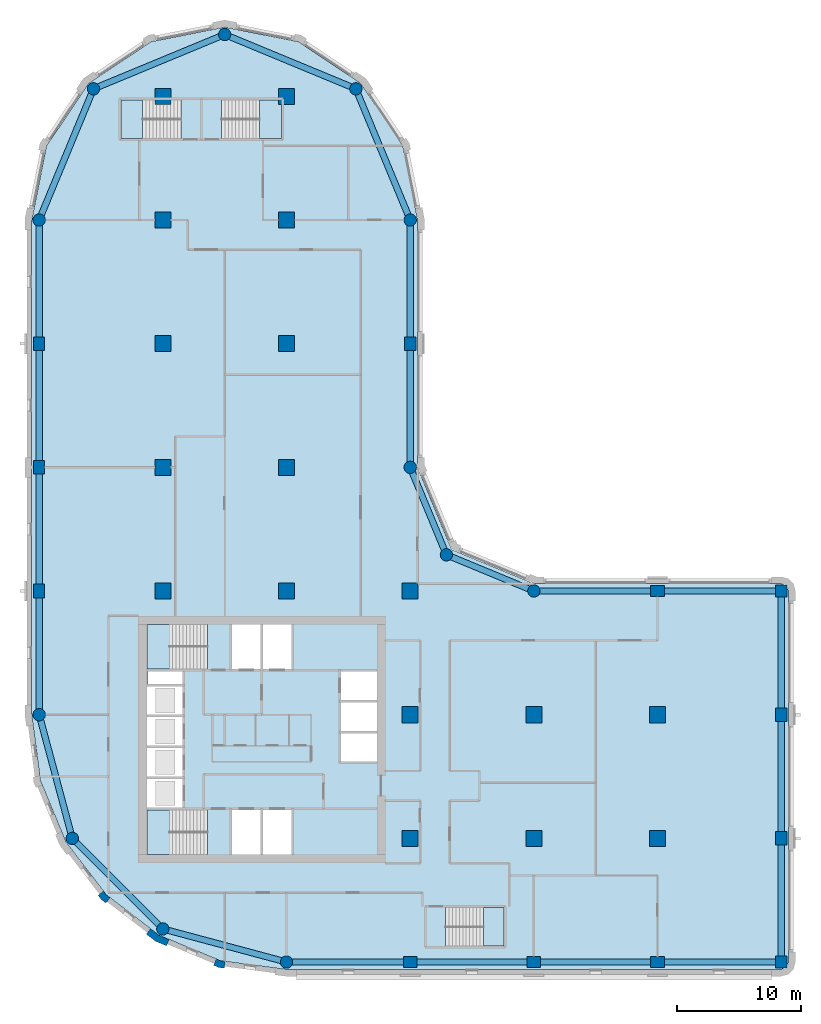
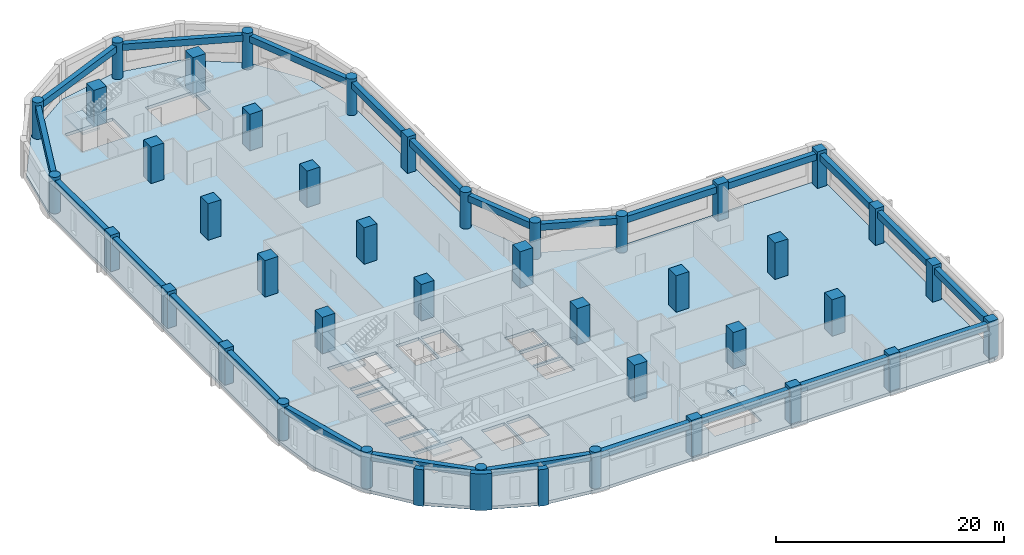
# One storey, part 1 of 9: 41 columns, 24 beams, 6 slabs, 3 walls, 5 elements without a shape of their own.
"""IFC4 building model written with IfcOpenShell, lengths in metres."""

from ifc_helpers import new_model, si_unit, direction, frame, origin, origin_2d, place, context, subcontext, project, spatial, polyline, rectangle, circle, outline, extrude, material, layer, layer_set, material_profile, profile_set, type_object, element, aggregate, save


model = new_model("IFC4")

# Units and contexts
model_context = context("Model", 3, precision=1e-05, world=origin(), true_north=direction((0.0, 1.0)))
body_context = subcontext(model_context, "Body", "Model", "MODEL_VIEW")
ifc_project = project(units=[si_unit("LENGTHUNIT", "METRE"), si_unit("AREAUNIT", "SQUARE_METRE"), si_unit("VOLUMEUNIT", "CUBIC_METRE"), si_unit("PLANEANGLEUNIT", "RADIAN"), si_unit("MASSUNIT", "GRAM", prefix="KILO")], contexts=[model_context])

# Site, building, storey
site_placement = place(None, origin())
site = spatial("IfcSite", under=ifc_project, at=site_placement, CompositionType="ELEMENT")
building_placement = place(site_placement, origin())
building = spatial("IfcBuilding", under=site, at=building_placement, Name="Qaws Garden Tower", CompositionType="ELEMENT")
storey_placement = place(building_placement, frame((0.0, 0.0, 139.5)))
storey = spatial("IfcBuildingStorey", under=building, at=storey_placement, Name="L33", CompositionType="ELEMENT", Elevation=139.5)

# Columns
ifc_material_1 = material(Name="Concrete C70", Category="concrete")
ifc_material_profile_1 = material_profile(ifc_material_1, rectangle(XDim=1.10009765625, YDim=0.89990234375, at=origin_2d()), Name="RC 1100x900")
ifc_profile_set_1 = profile_set([ifc_material_profile_1], Name="Concrete C70")
column_type_1 = type_object("IfcColumnType", Name="Column RC 1100x900 C70", PredefinedType="COLUMN", material=ifc_profile_set_1)
for number, where, z_axis, x_axis, name in (
    (1, (30.0, 0.0, 0.0), (0.0, 0.0, 1.0), (1.0, 0.0, 0.0), "Column L33-002"),
    (2, (40.0, 0.0, 0.0), (0.0, 0.0, 1.0), (1.0, 0.0, 0.0), "Column L33-003"),
    (3, (50.0, 0.0, 0.0), (0.0, 0.0, 1.0), (1.0, 0.0, 0.0), "Column L33-004"),
    (4, (60.0, 10.0, 0.0), (0.0, 0.0, 1.0), (0.0, 1.0, 0.0), "Column L33-006"),
    (5, (60.0, 20.0, 0.0), (0.0, 0.0, 1.0), (0.0, 1.0, 0.0), "Column L33-007"),
    (6, (50.0, 30.0, 0.0), (0.0, 0.0, 1.0), (1.0, 0.0, 0.0), "Column L33-009"),
    (7, (30.0, 50.0, 0.0), (0.0, 0.0, 1.0), (0.0, 1.0, 0.0), "Column L33-013"),
    (8, (0.0, 50.0, 0.0), (0.0, 0.0, 1.0), (0.0, 1.0, 0.0), "Column L33-019"),
    (9, (0.0, 40.0, 0.0), (0.0, 0.0, 1.0), (0.0, 1.0, 0.0), "Column L33-020"),
    (10, (0.0, 30.0, 0.0), (0.0, 0.0, 1.0), (0.0, 1.0, 0.0), "Column L33-021"),
):
    element("IfcColumn", number, at=place(storey_placement, frame(where, z_axis=z_axis, x_axis=x_axis)), inside=storey, type_object=column_type_1, Name=name, PredefinedType="COLUMN", context=body_context, shape_type="SweptSolid", body=[
        extrude(rectangle(XDim=1.10009765625, YDim=0.89990234375, at=origin_2d()), origin(), (0.0, 0.0, 1.0), 3.89990234375),
    ])
ifc_material_2 = material(Name="Concrete C70", Category="concrete")
ifc_material_profile_2 = material_profile(ifc_material_2, rectangle(XDim=1.300048828125, YDim=1.300048828125, at=origin_2d()), Name="RC 1300x1300")
ifc_profile_set_2 = profile_set([ifc_material_profile_2], Name="Concrete C70")
column_type_2 = type_object("IfcColumnType", Name="Column RC 1300x1300 C70", PredefinedType="COLUMN", material=ifc_profile_set_2)
for number, where, z_axis, x_axis, name in (
    (11, (10.0, 30.0, 0.0), (0.0, 0.0, 1.0), (1.0, 0.0, 0.0), "Column L33-025"),
    (12, (10.0, 40.0, 0.0), (0.0, 0.0, 1.0), (1.0, 0.0, 0.0), "Column L33-026"),
    (13, (10.0, 50.0, 0.0), (0.0, 0.0, 1.0), (1.0, 0.0, 0.0), "Column L33-027"),
    (14, (10.0, 60.0, 0.0), (0.0, 0.0, 1.0), (1.0, 0.0, 0.0), "Column L33-028"),
    (15, (10.0, 70.0, 0.0), (0.0, 0.0, 1.0), (1.0, 0.0, 0.0), "Column L33-029"),
    (16, (20.0, 30.0, 0.0), (0.0, 0.0, 1.0), (1.0, 0.0, 0.0), "Column L33-030"),
    (17, (20.0, 40.0, 0.0), (0.0, 0.0, 1.0), (1.0, 0.0, 0.0), "Column L33-031"),
    (18, (20.0, 50.0, 0.0), (0.0, 0.0, 1.0), (1.0, 0.0, 0.0), "Column L33-032"),
    (19, (20.0, 60.0, 0.0), (0.0, 0.0, 1.0), (1.0, 0.0, 0.0), "Column L33-033"),
    (20, (20.0, 70.0, 0.0), (0.0, 0.0, 1.0), (1.0, 0.0, 0.0), "Column L33-034"),
    (21, (30.0, 10.0, 0.0), (0.0, 0.0, 1.0), (1.0, 0.0, 0.0), "Column L33-035"),
    (22, (30.0, 20.0, 0.0), (0.0, 0.0, 1.0), (1.0, 0.0, 0.0), "Column L33-036"),
    (23, (30.0, 30.0, 0.0), (0.0, 0.0, 1.0), (1.0, 0.0, 0.0), "Column L33-037"),
    (24, (40.0, 10.0, 0.0), (0.0, 0.0, 1.0), (1.0, 0.0, 0.0), "Column L33-038"),
    (25, (40.0, 20.0, 0.0), (0.0, 0.0, 1.0), (1.0, 0.0, 0.0), "Column L33-039"),
    (26, (50.0, 10.0, 0.0), (0.0, 0.0, 1.0), (1.0, 0.0, 0.0), "Column L33-040"),
    (27, (50.0, 20.0, 0.0), (0.0, 0.0, 1.0), (1.0, 0.0, 0.0), "Column L33-041"),
):
    element("IfcColumn", number, at=place(storey_placement, frame(where, z_axis=z_axis, x_axis=x_axis)), inside=storey, type_object=column_type_2, Name=name, PredefinedType="COLUMN", context=body_context, shape_type="SweptSolid", body=[
        extrude(rectangle(XDim=1.300048828125, YDim=1.300048828125, at=origin_2d()), origin(), (0.0, 0.0, 1.0), 3.89990234375),
    ])
ifc_material_3 = material(Name="Concrete C70", Category="concrete")
ifc_material_profile_3 = material_profile(ifc_material_3, rectangle(XDim=0.949951171875, YDim=0.949951171875, at=origin_2d()), Name="RC 950x950")
ifc_profile_set_3 = profile_set([ifc_material_profile_3], Name="Concrete C70")
column_type_3 = type_object("IfcColumnType", Name="Column RC 950x950 C70", PredefinedType="COLUMN", material=ifc_profile_set_3)
for number, where, z_axis, x_axis, name in (
    (28, (60.0, 0.0, 0.0), (0.0, 0.0, 1.0), (1.0, 0.0, 0.0), "Column L33-005"),
    (29, (60.0, 30.0, 0.0), (0.0, 0.0, 1.0), (1.0, 0.0, 0.0), "Column L33-008"),
):
    element("IfcColumn", number, at=place(storey_placement, frame(where, z_axis=z_axis, x_axis=x_axis)), inside=storey, type_object=column_type_3, Name=name, PredefinedType="COLUMN", context=body_context, shape_type="SweptSolid", body=[
        extrude(rectangle(XDim=0.949951171875, YDim=0.949951171875, at=origin_2d()), origin(), (0.0, 0.0, 1.0), 3.89990234375),
    ])
ifc_material_4 = material(Name="Concrete C70", Category="concrete")
ifc_material_profile_4 = material_profile(ifc_material_4, circle(Radius=0.5, at=origin_2d()), Name="RC D1000")
ifc_profile_set_4 = profile_set([ifc_material_profile_4], Name="Concrete C70")
column_type_4 = type_object("IfcColumnType", Name="Column RC D1000 C70", PredefinedType="COLUMN", material=ifc_profile_set_4)
for number, where, z_axis, x_axis, name in (
    (30, (20.0, 0.0, 0.0), (0.0, 0.0, 1.0), (1.0, 0.0, 0.0), "Column L33-001"),
    (31, (40.0, 30.0, 0.0), (0.0, 0.0, 1.0), (1.0, 0.0, 0.0), "Column L33-010"),
    (32, (32.928955078125, 32.928955078125, 0.0), (0.0, 0.0, 1.0), (1.0, 0.0, 0.0), "Column L33-011"),
    (33, (30.0, 40.0, 0.0), (0.0, 0.0, 1.0), (1.0, 0.0, 0.0), "Column L33-012"),
    (34, (30.0, 60.0, 0.0), (0.0, 0.0, 1.0), (1.0, 0.0, 0.0), "Column L33-014"),
    (35, (25.606689453125, 70.606689453125, 0.0), (0.0, 0.0, 1.0), (1.0, 0.0, 0.0), "Column L33-015"),
    (36, (15.0, 75.0, 0.0), (0.0, 0.0, 1.0), (1.0, 0.0, 0.0), "Column L33-016"),
    (37, (4.393310546875, 70.606689453125, 0.0), (0.0, 0.0, 1.0), (1.0, 0.0, 0.0), "Column L33-017"),
    (38, (0.0, 60.0, 0.0), (0.0, 0.0, 1.0), (1.0, 0.0, 0.0), "Column L33-018"),
    (39, (0.0, 20.0, 0.0), (0.0, 0.0, 1.0), (1.0, 0.0, 0.0), "Column L33-022"),
    (40, (2.679443359375, 10.0, 0.0), (0.0, 0.0, 1.0), (1.0, 0.0, 0.0), "Column L33-023"),
    (41, (10.0, 2.679443359375, 0.0), (0.0, 0.0, 1.0), (1.0, 0.0, 0.0), "Column L33-024"),
):
    element("IfcColumn", number, at=place(storey_placement, frame(where, z_axis=z_axis, x_axis=x_axis)), inside=storey, type_object=column_type_4, Name=name, PredefinedType="COLUMN", context=body_context, shape_type="SweptSolid", body=[
        extrude(circle(Radius=0.5, at=origin_2d()), origin(), (0.0, 0.0, 1.0), 3.89990234375),
    ])

# Beams
ifc_material_5 = material(Name="Concrete C45", Category="concrete")
ifc_material_profile_5 = material_profile(ifc_material_5, rectangle(XDim=0.5, YDim=0.699951171875, at=origin_2d()), Name="RC 500x700")
ifc_profile_set_5 = profile_set([ifc_material_profile_5], Name="Concrete C45")
beam_type = type_object("IfcBeamType", Name="Spandrel beam RC 500x700 C45", PredefinedType="SPANDREL", material=ifc_profile_set_5)
for number, where, z_axis, x_axis, name in (
    (42, (20.0, 0.0, 3.22998046875), (1.0, 0.0, 0.0), (0.0, 1.0, 0.0), "Spandrel beam L33-001"),
    (43, (30.0, 0.0, 3.22998046875), (1.0, 0.0, 0.0), (0.0, 1.0, 0.0), "Spandrel beam L33-002"),
    (44, (40.0, 0.0, 3.22998046875), (1.0, 0.0, 0.0), (0.0, 1.0, 0.0), "Spandrel beam L33-003"),
    (45, (50.0, 0.0, 3.22998046875), (1.0, 0.0, 0.0), (0.0, 1.0, 0.0), "Spandrel beam L33-004"),
    (46, (60.0, 0.0, 3.22998046875), (0.0, 1.0, 0.0), (-1.0, 0.0, 0.0), "Spandrel beam L33-005"),
    (47, (60.0, 10.0, 3.22998046875), (0.0, 1.0, 0.0), (-1.0, 0.0, 0.0), "Spandrel beam L33-006"),
    (48, (60.0, 20.0, 3.22998046875), (0.0, 1.0, 0.0), (-1.0, 0.0, 0.0), "Spandrel beam L33-007"),
    (49, (60.0, 30.0, 3.22998046875), (-1.0, 0.0, 0.0), (0.0, -1.0, 0.0), "Spandrel beam L33-008"),
    (50, (50.0, 30.0, 3.22998046875), (-1.0, 0.0, 0.0), (0.0, -1.0, 0.0), "Spandrel beam L33-009"),
):
    element("IfcBeam", number, at=place(storey_placement, frame(where, z_axis=z_axis, x_axis=x_axis)), inside=storey, type_object=beam_type, Name=name, PredefinedType="SPANDREL", context=body_context, shape_type="SweptSolid", body=[
        extrude(rectangle(XDim=0.5, YDim=0.699951171875, at=origin_2d()), origin(), (0.0, 0.0, 1.0), 10.0),
    ])
for number, where, z_axis, x_axis, name in (
    (51, (40.0, 30.0, 3.22998046875), (-0.923878037141, 0.382687042488, 0.0), (-0.382687042488, -0.923878037141, 0.0), "Spandrel beam L33-010"),
    (52, (32.928955078125, 32.928955078125, 3.22998046875), (-0.382687042488, 0.923878037141, 0.0), (-0.923878037141, -0.382687042488, 0.0), "Spandrel beam L33-011"),
):
    element("IfcBeam", number, at=place(storey_placement, frame(where, z_axis=z_axis, x_axis=x_axis)), inside=storey, type_object=beam_type, Name=name, PredefinedType="SPANDREL", context=body_context, shape_type="SweptSolid", body=[
        extrude(rectangle(XDim=0.5, YDim=0.699951171875, at=origin_2d()), origin(), (0.0, 0.0, 1.0), 7.653564453125),
    ])
for number, where, z_axis, x_axis, name in (
    (53, (30.0, 40.0, 3.22998046875), (0.0, 1.0, 0.0), (-1.0, 0.0, 0.0), "Spandrel beam L33-012"),
    (54, (30.0, 50.0, 3.22998046875), (0.0, 1.0, 0.0), (-1.0, 0.0, 0.0), "Spandrel beam L33-013"),
):
    element("IfcBeam", number, at=place(storey_placement, frame(where, z_axis=z_axis, x_axis=x_axis)), inside=storey, type_object=beam_type, Name=name, PredefinedType="SPANDREL", context=body_context, shape_type="SweptSolid", body=[
        extrude(rectangle(XDim=0.5, YDim=0.699951171875, at=origin_2d()), origin(), (0.0, 0.0, 1.0), 10.0),
    ])
for number, where, z_axis, x_axis, name in (
    (55, (30.0, 60.0, 3.22998046875), (-0.382674207535, 0.923883353507, 0.0), (-0.923883353507, -0.382674207535, 0.0), "Spandrel beam L33-014"),
    (56, (25.606689453125, 70.606689453125, 3.22998046875), (-0.923883353507, 0.382674207535, 0.0), (-0.382674207535, -0.923883353507, 0.0), "Spandrel beam L33-015"),
    (57, (15.0, 75.0, 3.22998046875), (-0.923883353507, -0.382674207535, 0.0), (0.382674207535, -0.923883353507, 0.0), "Spandrel beam L33-016"),
    (58, (4.393310546875, 70.606689453125, 3.22998046875), (-0.382674207535, -0.923883353507, 0.0), (0.923883353507, -0.382674207535, 0.0), "Spandrel beam L33-017"),
):
    element("IfcBeam", number, at=place(storey_placement, frame(where, z_axis=z_axis, x_axis=x_axis)), inside=storey, type_object=beam_type, Name=name, PredefinedType="SPANDREL", context=body_context, shape_type="SweptSolid", body=[
        extrude(rectangle(XDim=0.5, YDim=0.699951171875, at=origin_2d()), origin(), (0.0, 0.0, 1.0), 11.48046875),
    ])
for number, where, z_axis, x_axis, name in (
    (59, (0.0, 60.0, 3.22998046875), (0.0, -1.0, 0.0), (1.0, 0.0, 0.0), "Spandrel beam L33-018"),
    (60, (0.0, 50.0, 3.22998046875), (0.0, -1.0, 0.0), (1.0, 0.0, 0.0), "Spandrel beam L33-019"),
    (61, (0.0, 40.0, 3.22998046875), (0.0, -1.0, 0.0), (1.0, 0.0, 0.0), "Spandrel beam L33-020"),
    (62, (0.0, 30.0, 3.22998046875), (0.0, -1.0, 0.0), (1.0, 0.0, 0.0), "Spandrel beam L33-021"),
):
    element("IfcBeam", number, at=place(storey_placement, frame(where, z_axis=z_axis, x_axis=x_axis)), inside=storey, type_object=beam_type, Name=name, PredefinedType="SPANDREL", context=body_context, shape_type="SweptSolid", body=[
        extrude(rectangle(XDim=0.5, YDim=0.699951171875, at=origin_2d()), origin(), (0.0, 0.0, 1.0), 10.0),
    ])
for number, where, z_axis, x_axis, name in (
    (63, (0.0, 20.0, 3.22998046875), (0.25881466832, -0.965926999034, 0.0), (0.965926999034, 0.25881466832, 0.0), "Spandrel beam L33-022"),
    (64, (2.679443359375, 10.0, 3.22998046875), (0.707106781187, -0.707106781187, 0.0), (0.707106781187, 0.707106781187, 0.0), "Spandrel beam L33-023"),
    (65, (10.0, 2.679443359375, 3.22998046875), (0.965926999034, -0.25881466832, 0.0), (0.25881466832, 0.965926999034, 0.0), "Spandrel beam L33-024"),
):
    element("IfcBeam", number, at=place(storey_placement, frame(where, z_axis=z_axis, x_axis=x_axis)), inside=storey, type_object=beam_type, Name=name, PredefinedType="SPANDREL", context=body_context, shape_type="SweptSolid", body=[
        extrude(rectangle(XDim=0.5, YDim=0.699951171875, at=origin_2d()), origin(), (0.0, 0.0, 1.0), 10.352783203125),
    ])

# Slab
ifc_material_6 = material(Name="Concrete C40", Category="concrete")
ifc_layer_1 = layer(ifc_material_6, 0.320068359375)
ifc_layer_set_1 = layer_set([ifc_layer_1], Name="Concrete C40")
slab_type_1 = type_object("IfcSlabType", Name="Floor slab 320 C40", PredefinedType="FLOOR", material=ifc_layer_set_1)
slab_1_placement = place(storey_placement, frame((0.0, 0.0, -0.320068359375)))
element("IfcSlab", 66, at=slab_1_placement, inside=storey, type_object=slab_type_1, Name="Floor slab L33", PredefinedType="FLOOR", context=body_context, shape_type="SweptSolid", body=[
    extrude(outline(polyline([(0.101806640625, 14.668212890625), (-0.60009765625, 20.0), (-0.60009765625, 30.60009765625), (-0.60009765625, 60.0), (-0.60009765625, 60.0), (0.58740234375, 65.969970703125), (3.968994140625, 71.031005859375), (9.030029296875, 74.41259765625), (15.0, 75.60009765625), (20.969970703125, 74.41259765625), (26.031005859375, 71.031005859375), (29.41259765625, 65.969970703125), (30.60009765625, 60.0), (30.60009765625, 40.0), (33.353271484375, 33.353271484375), (40.0, 30.60009765625), (60.0, 30.60009765625), (60.42431640625, 30.42431640625), (60.60009765625, 30.0), (60.60009765625, 0.0), (60.42431640625, -0.42431640625), (60.0, -0.60009765625), (30.60009765625, -0.60009765625), (20.0, -0.60009765625), (14.668212890625, 0.101806640625), (9.699951171875, 2.159912109375), (5.43359375, 5.43359375), (2.159912109375, 9.699951171875), (0.101806640625, 14.668212890625)]), holes=[polyline([(13.599609375, 12.300048828125), (8.699951171875, 12.300048828125), (8.699951171875, 8.699951171875), (13.599609375, 8.699951171875), (13.599609375, 12.300048828125)]), polyline([(17.89990234375, 12.300048828125), (15.60009765625, 12.300048828125), (15.60009765625, 8.699951171875), (17.89990234375, 8.699951171875), (17.89990234375, 12.300048828125)]), polyline([(11.60009765625, 14.800048828125), (8.699951171875, 14.800048828125), (8.699951171875, 12.5), (11.60009765625, 12.5), (11.60009765625, 14.800048828125)]), polyline([(11.60009765625, 17.300048828125), (8.699951171875, 17.300048828125), (8.699951171875, 15.0), (11.60009765625, 15.0), (11.60009765625, 17.300048828125)]), polyline([(11.60009765625, 19.800048828125), (8.699951171875, 19.800048828125), (8.699951171875, 17.5), (11.60009765625, 17.5), (11.60009765625, 19.800048828125)]), polyline([(11.60009765625, 22.300048828125), (8.699951171875, 22.300048828125), (8.699951171875, 20.0), (11.60009765625, 20.0), (11.60009765625, 22.300048828125)]), polyline([(11.60009765625, 23.5), (8.800048828125, 23.5), (8.800048828125, 22.5), (11.60009765625, 22.5), (11.60009765625, 23.5)]), polyline([(13.599609375, 27.300048828125), (8.699951171875, 27.300048828125), (8.699951171875, 23.699951171875), (13.599609375, 23.699951171875), (13.599609375, 27.300048828125)]), polyline([(11.449462890625, 69.699951171875), (6.60009765625, 69.699951171875), (6.60009765625, 66.60009765625), (11.449462890625, 66.60009765625), (11.449462890625, 69.699951171875)]), polyline([(37.60009765625, 4.39990234375), (32.8505859375, 4.39990234375), (32.8505859375, 1.300048828125), (37.60009765625, 1.300048828125), (37.60009765625, 4.39990234375)]), polyline([(20.39990234375, 12.300048828125), (18.10009765625, 12.300048828125), (18.10009765625, 8.699951171875), (20.39990234375, 8.699951171875), (20.39990234375, 12.300048828125)]), polyline([(27.300048828125, 18.5), (24.39990234375, 18.5), (24.39990234375, 16.199951171875), (27.300048828125, 16.199951171875), (27.300048828125, 18.5)]), polyline([(27.300048828125, 21.0), (24.39990234375, 21.0), (24.39990234375, 18.699951171875), (27.300048828125, 18.699951171875), (27.300048828125, 21.0)]), polyline([(27.300048828125, 23.5), (24.39990234375, 23.5), (24.39990234375, 21.199951171875), (27.300048828125, 21.199951171875), (27.300048828125, 23.5)]), polyline([(17.89990234375, 27.300048828125), (15.60009765625, 27.300048828125), (15.60009765625, 23.699951171875), (17.89990234375, 23.699951171875), (17.89990234375, 27.300048828125)]), polyline([(20.39990234375, 23.699951171875), (20.39990234375, 27.300048828125), (18.10009765625, 27.300048828125), (18.10009765625, 23.699951171875), (20.39990234375, 23.699951171875)]), polyline([(19.60009765625, 66.60009765625), (19.60009765625, 69.699951171875), (14.75048828125, 69.699951171875), (14.75048828125, 66.60009765625), (19.60009765625, 66.60009765625)])]), origin(), (0.0, 0.0, 1.0), 0.320068359375),
])

# Stair, slab
ifc_material_7 = material(Name="Concrete C40", Category="concrete")
stair_type_1 = type_object("IfcStairType", Name="Exit stair 1500", PredefinedType="HALF_TURN_STAIR", material=ifc_material_7)
placement_1 = place(storey_placement, origin())
stair_1 = element("IfcStair", 67, at=placement_1, inside=storey, type_object=stair_type_1, Name="Stair 1", PredefinedType="HALF_TURN_STAIR")
ifc_material_8 = material(Name="Concrete C40", Category="concrete")
ifc_layer_2 = layer(ifc_material_8, 0.199951171875)
ifc_layer_set_2 = layer_set([ifc_layer_2], Name="Concrete C40")
slab_type_2 = type_object("IfcSlabType", Name="Stair landing 200", PredefinedType="LANDING", material=ifc_layer_set_2)
placement_2 = place(storey_placement, frame((0.0, 0.0, 1.75)))
slab_2 = element("IfcSlab", 68, at=placement_2, type_object=slab_type_2, Name="ST1 landing 1", PredefinedType="LANDING", context=body_context, shape_type="SweptSolid", body=[
    extrude(outline(polyline([(8.699951171875, 8.699951171875), (10.52001953125, 8.699951171875), (10.52001953125, 12.300048828125), (8.699951171875, 12.300048828125), (8.699951171875, 8.699951171875)])), origin(), (0.0, 0.0, 1.0), 0.199951171875),
])
aggregate(stair_1, [slab_2])

stair_2 = element("IfcStair", 69, at=placement_1, inside=storey, type_object=stair_type_1, Name="Stair 4", PredefinedType="HALF_TURN_STAIR")
slab_3 = element("IfcSlab", 70, at=placement_2, type_object=slab_type_2, Name="ST4 landing 1", PredefinedType="LANDING", context=body_context, shape_type="SweptSolid", body=[
    extrude(outline(polyline([(8.699951171875, 23.699951171875), (10.52001953125, 23.699951171875), (10.52001953125, 27.300048828125), (8.699951171875, 27.300048828125), (8.699951171875, 23.699951171875)])), origin(), (0.0, 0.0, 1.0), 0.199951171875),
])
aggregate(stair_2, [slab_3])

ifc_material_9 = material(Name="Concrete C40", Category="concrete")
stair_type_2 = type_object("IfcStairType", Name="Exit stair 1350", PredefinedType="HALF_TURN_STAIR", material=ifc_material_9)
stair_3 = element("IfcStair", 71, at=placement_1, inside=storey, type_object=stair_type_2, Name="Stair 5", PredefinedType="HALF_TURN_STAIR")
slab_4 = element("IfcSlab", 72, at=placement_2, type_object=slab_type_2, Name="ST5 landing 1", PredefinedType="LANDING", context=body_context, shape_type="SweptSolid", body=[
    extrude(outline(polyline([(35.929931640625, 1.300048828125), (37.60009765625, 1.300048828125), (37.60009765625, 4.39990234375), (35.929931640625, 4.39990234375), (35.929931640625, 1.300048828125)])), origin(), (0.0, 0.0, 1.0), 0.199951171875),
])
aggregate(stair_3, [slab_4])

stair_4 = element("IfcStair", 73, at=placement_1, inside=storey, type_object=stair_type_2, Name="Stair 6", PredefinedType="HALF_TURN_STAIR")
slab_5 = element("IfcSlab", 74, at=placement_2, type_object=slab_type_2, Name="ST6 landing 1", PredefinedType="LANDING", context=body_context, shape_type="SweptSolid", body=[
    extrude(outline(polyline([(6.60009765625, 66.60009765625), (8.3701171875, 66.60009765625), (8.3701171875, 69.699951171875), (6.60009765625, 69.699951171875), (6.60009765625, 66.60009765625)])), origin(), (0.0, 0.0, 1.0), 0.199951171875),
])
aggregate(stair_4, [slab_5])

stair_5 = element("IfcStair", 75, at=placement_1, inside=storey, type_object=stair_type_2, Name="Stair 7", PredefinedType="HALF_TURN_STAIR")
slab_6 = element("IfcSlab", 76, at=placement_2, type_object=slab_type_2, Name="ST7 landing 1", PredefinedType="LANDING", context=body_context, shape_type="SweptSolid", body=[
    extrude(outline(polyline([(17.830078125, 66.60009765625), (19.60009765625, 66.60009765625), (19.60009765625, 69.699951171875), (17.830078125, 69.699951171875), (17.830078125, 66.60009765625)])), origin(), (0.0, 0.0, 1.0), 0.199951171875),
])
aggregate(stair_5, [slab_6])

# Walls
ifc_material_10 = material(Name="Clay facing brick masonry", Category="masonry")
ifc_layer_3 = layer(ifc_material_10, 0.550048828125)
ifc_layer_set_3 = layer_set([ifc_layer_3], Name="Clay facing brick masonry")
wall_type_1 = type_object("IfcWallType", Name="Brick kink pier 550 x 600", PredefinedType="SOLIDWALL", material=ifc_layer_set_3)
element("IfcWall", 77, at=placement_1, inside=storey, type_object=wall_type_1, Name="E-L33-pier-28", PredefinedType="SOLIDWALL", context=body_context, shape_type="SweptSolid", body=[
    extrude(outline(polyline([(4.8818359375, 5.487060546875), (4.762939453125, 5.395751953125), (5.03759765625, 5.03759765625), (5.395751953125, 4.762939453125), (5.487060546875, 4.8818359375), (5.730712890625, 5.19921875), (5.429931640625, 5.429931640625), (5.19921875, 5.730712890625), (4.8818359375, 5.487060546875)])), origin(), (0.0, 0.0, 1.0), 3.89990234375),
])
element("IfcWall", 78, at=placement_1, inside=storey, type_object=wall_type_1, Name="E-L33-pier-30", PredefinedType="SOLIDWALL", context=body_context, shape_type="SweptSolid", body=[
    extrude(outline(polyline([(14.163818359375, -0.127685546875), (14.1064453125, -0.26611328125), (14.5234375, -0.43896484375), (14.970947265625, -0.497802734375), (14.990478515625, -0.34912109375), (15.042724609375, 0.04736328125), (14.6669921875, 0.096923828125), (14.31689453125, 0.241943359375), (14.163818359375, -0.127685546875)])), origin(), (0.0, 0.0, 1.0), 3.89990234375),
])
ifc_material_11 = material(Name="Clay facing brick masonry", Category="masonry")
ifc_layer_4 = layer(ifc_material_11, 0.550048828125)
ifc_layer_set_4 = layer_set([ifc_layer_4], Name="Clay facing brick masonry")
wall_type_2 = type_object("IfcWallType", Name="Brick pier 550 x 1600", PredefinedType="SOLIDWALL", material=ifc_layer_set_4)
element("IfcWall", 79, at=placement_1, inside=storey, type_object=wall_type_2, Name="E-L33-pier-29", PredefinedType="SOLIDWALL", context=body_context, shape_type="SweptSolid", body=[
    extrude(outline(polyline([(8.756591796875, 2.373046875), (8.665283203125, 2.254150390625), (9.419921875, 1.675048828125), (10.299072265625, 1.310791015625), (10.3564453125, 1.449462890625), (10.509521484375, 1.819091796875), (9.697509765625, 2.1552734375), (9.0, 2.6904296875), (8.756591796875, 2.373046875)])), origin(), (0.0, 0.0, 1.0), 3.89990234375),
])

save(model, "model.ifc")
